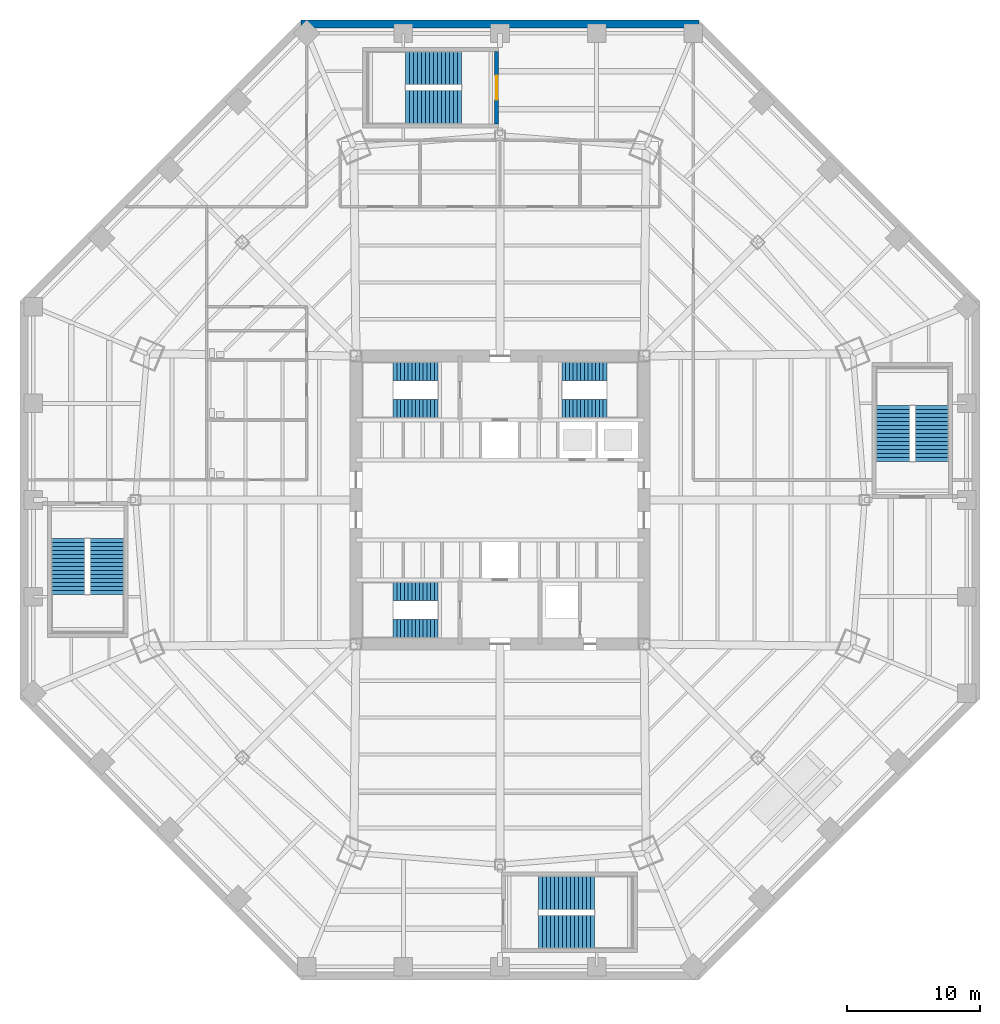
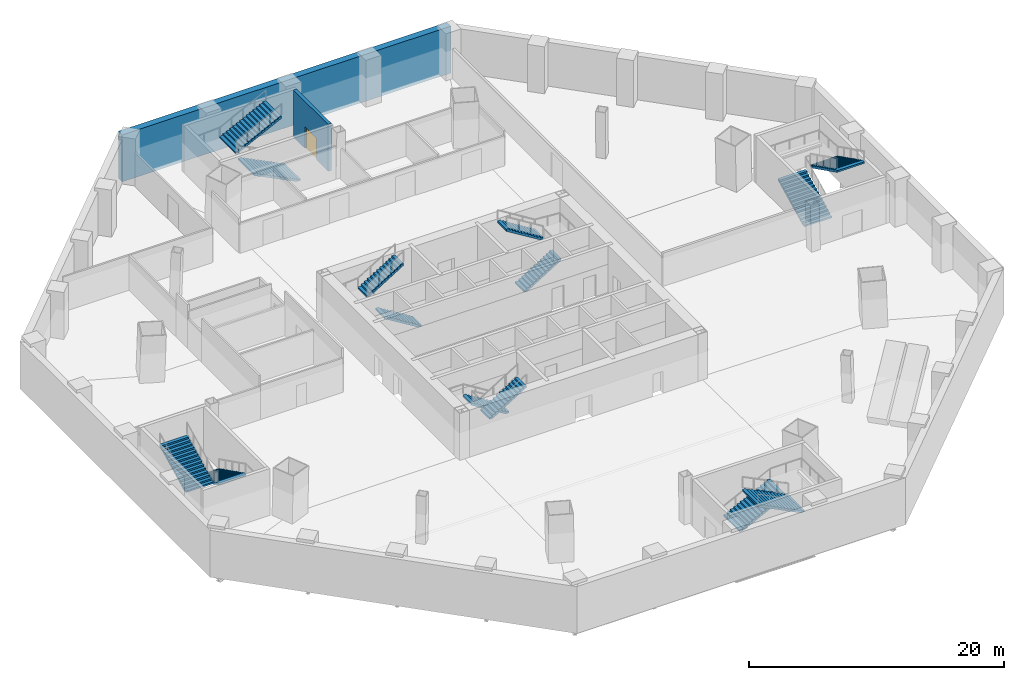
# One storey, part 10 of 15: 14 stair flights, 2 walls, 1 door, 1 opening, 7 elements without a shape of their own.
"""IFC4 building model written with IfcOpenShell, lengths in metres."""

import ifcopenshell
import ifcopenshell.guid

model = None  # the IFC model being written
_history = None  # IfcOwnerHistory: only IFC2X3 demands one
_inside = {}  # id of a spatial element -> (the spatial element, [elements in it])
_under = {}  # id of a project, library or spatial element -> (it, [spatial elements below it])
_declared = {}  # id of a project -> (the project, [libraries it declares])
_typed = {}  # id of a type object -> (the type object, [elements of that type])
_made_of = {}  # id of a material, layer set ... -> (it, [elements and type objects made of it])


def new_model(schema):
    """Start an empty IFC model of exactly this schema.

    Asked for "IFC4X3", IfcOpenShell would pick the latest addendum, in which some entities
    have other attributes; the version numbers below select the first issue.
    IFC2X3 requires an IfcOwnerHistory on every rooted entity: one is made here for all.
    """
    global model, _history
    if schema == "IFC4X3":
        model = ifcopenshell.file(schema_version=(4, 3, 0, 0))
    else:
        model = ifcopenshell.file(schema=schema)
    _inside.clear()
    _under.clear()
    _declared.clear()
    _typed.clear()
    _made_of.clear()
    _history = None
    if model.schema == "IFC2X3":
        org = make("IfcOrganization", Name="unknown")
        user = make(
            "IfcPersonAndOrganization",
            ThePerson=make("IfcPerson", FamilyName="unknown"),
            TheOrganization=org,
        )
        app = make(
            "IfcApplication",
            ApplicationDeveloper=org,
            Version="unknown",
            ApplicationFullName="unknown",
            ApplicationIdentifier="unknown",
        )
        _history = make(
            "IfcOwnerHistory",
            OwningUser=user,
            OwningApplication=app,
            ChangeAction="ADDED",
            CreationDate=0,
        )
    return model


def make(cls, **values):
    """One entity of the class cls with the attributes given. An attribute that is None is left unset."""
    return model.create_entity(
        cls, **{name: value for name, value in values.items() if value is not None}
    )


def rooted(cls, **values):
    """An entity with a GlobalId (a new one), such as an element, a storey or a relation."""
    return make(cls, GlobalId=ifcopenshell.guid.new(), OwnerHistory=_history, **values)


def si_unit(unit_type, name, prefix=None):
    """IfcSIUnit, for example si_unit("LENGTHUNIT", "METRE", prefix="MILLI")."""
    return make("IfcSIUnit", UnitType=unit_type, Prefix=prefix, Name=name)


def assignment(units):
    """IfcUnitAssignment: the units of a project."""
    return None if units is None else make("IfcUnitAssignment", Units=units)


def point(xyz):
    """IfcCartesianPoint."""
    return None if xyz is None else make("IfcCartesianPoint", Coordinates=xyz)


def direction(xyz):
    """IfcDirection."""
    return None if xyz is None else make("IfcDirection", DirectionRatios=xyz)


def frame(location, z_axis=None, x_axis=None):
    """IfcAxis2Placement3D, a coordinate frame: its origin and axes. An axis left out is left unset."""
    return make(
        "IfcAxis2Placement3D",
        Location=point(location),
        Axis=direction(z_axis),
        RefDirection=direction(x_axis),
    )


def frame_2d(location, x_axis=None):
    """IfcAxis2Placement2D, a coordinate frame in the plane: its origin and x axis."""
    return make(
        "IfcAxis2Placement2D", Location=point(location), RefDirection=direction(x_axis)
    )


def origin():
    """The frame at (0, 0, 0) with its axes left unset."""
    return frame((0.0, 0.0, 0.0))


def place(relative_to, where):
    """IfcLocalPlacement: puts the frame where relative to a parent placement (None: the world)."""
    return make(
        "IfcLocalPlacement", PlacementRelTo=relative_to, RelativePlacement=where
    )


def context(
    kind, dimensions, precision=None, world=None, true_north=None, identifier=None
):
    """IfcGeometricRepresentationContext, for example the 3D "Model" context."""
    return make(
        "IfcGeometricRepresentationContext",
        ContextIdentifier=identifier,
        ContextType=kind,
        CoordinateSpaceDimension=dimensions,
        Precision=precision,
        WorldCoordinateSystem=world,
        TrueNorth=true_north,
    )


def subcontext(parent, identifier, kind, view, scale=None):
    """IfcGeometricRepresentationSubContext, for example "Body" below "Model"."""
    return make(
        "IfcGeometricRepresentationSubContext",
        ContextIdentifier=identifier,
        ContextType=kind,
        ParentContext=parent,
        TargetScale=scale,
        TargetView=view,
    )


def project(units=None, contexts=None):
    """IfcProject with its units and contexts."""
    return rooted(
        "IfcProject",
        Name="project",
        RepresentationContexts=contexts,
        UnitsInContext=assignment(units),
    )


def spatial(cls, under=None, at=None, **own):
    """A site, building, storey or space (cls), placed at a placement, below another one or the project."""
    s = rooted(cls, ObjectPlacement=at, **own)
    if under is not None:
        _under.setdefault(under.id(), (under, []))[1].append(s)
    return s


def polyline(points):
    """IfcPolyline through the points."""
    return make("IfcPolyline", Points=[point(p) for p in points])


def profile(cls, at=None, kind="AREA", **sizes):
    """A parametric profile (cls). Its sizes go by their IFC names, for example OverallWidth=200.0."""
    return make(cls, ProfileType=kind, Position=at, **sizes)


def rectangle(**sizes):
    """IfcRectangleProfileDef."""
    return profile("IfcRectangleProfileDef", **sizes)


def outline(outer, holes=None, kind="AREA"):
    """IfcArbitraryClosedProfileDef: a profile drawn as a closed curve; with holes, ...WithVoids."""
    if holes is None:
        return make("IfcArbitraryClosedProfileDef", ProfileType=kind, OuterCurve=outer)
    return make(
        "IfcArbitraryProfileDefWithVoids",
        ProfileType=kind,
        OuterCurve=outer,
        InnerCurves=holes,
    )


def extrude(swept, where, along, depth):
    """IfcExtrudedAreaSolid: the profile swept, set in the frame where, extruded along a direction by depth."""
    return make(
        "IfcExtrudedAreaSolid",
        SweptArea=swept,
        Position=where,
        ExtrudedDirection=direction(along),
        Depth=depth,
    )


def shape(context_of_items, identifier, shape_type, items):
    """IfcShapeRepresentation: the items that make up one representation, for example the "Body"."""
    return make(
        "IfcShapeRepresentation",
        ContextOfItems=context_of_items,
        RepresentationIdentifier=identifier,
        RepresentationType=shape_type,
        Items=items,
    )


def material(Name=None, Category=None):
    """IfcMaterial."""
    return make("IfcMaterial", Name=Name, Category=Category)


def layer(
    of_material, thickness, ventilated=None, Name=None, Category=None, Priority=None
):
    """IfcMaterialLayer: one layer of a wall or slab, of a material (None: an air gap)."""
    return make(
        "IfcMaterialLayer",
        Material=of_material,
        LayerThickness=thickness,
        IsVentilated=ventilated,
        Name=Name,
        Category=Category,
        Priority=Priority,
    )


def layer_set(layers, Name=None):
    """IfcMaterialLayerSet."""
    return make("IfcMaterialLayerSet", MaterialLayers=layers, LayerSetName=Name)


def made_of(thing, what):
    """Note that an element or type object is made of a material, layer set ...; save() writes the relation."""
    if what is not None:
        _made_of.setdefault(what.id(), (what, []))[1].append(thing)
    return thing


def type_object(cls, material=None, **own):
    """A type object (cls), such as IfcWallType, which elements share."""
    return made_of(rooted(cls, **own), material)


def element(
    cls,
    number,
    at=None,
    inside=None,
    cuts=None,
    type_object=None,
    material=None,
    context=None,
    identifier="Body",
    shape_type=None,
    held_by="IfcProductDefinitionShape",
    body=None,
    shapes=None,
    **own,
):
    """One element of the class cls, such as IfcWall. Its Tag is "e" and its number.

    at: its placement. inside: the storey or other place that contains it. cuts: it is an
    opening in that element (IfcRelVoidsElement). A single representation is given by context,
    identifier, shape_type and body (its items); several are given by shapes. held_by: the class
    of the entity that holds the representations. save() writes the other relations.
    """
    e = rooted(cls, Tag="e%d" % number, ObjectPlacement=at, **own)
    if body is not None:
        shapes = [shape(context, identifier, shape_type, body)]
    if shapes is not None:
        e.Representation = make(held_by, Representations=shapes)
    if inside is not None:
        _inside.setdefault(inside.id(), (inside, []))[1].append(e)
    if cuts is not None:
        rooted(
            "IfcRelVoidsElement", RelatingBuildingElement=cuts, RelatedOpeningElement=e
        )
    if type_object is not None:
        _typed.setdefault(type_object.id(), (type_object, []))[1].append(e)
    return made_of(e, material)


def fill(opening, filler):
    """IfcRelFillsElement: the door or window that sits in an opening."""
    return rooted(
        "IfcRelFillsElement",
        RelatingOpeningElement=opening,
        RelatedBuildingElement=filler,
    )


def aggregate(whole, parts):
    """IfcRelAggregates: a whole, such as a stair, and the parts it consists of."""
    return rooted("IfcRelAggregates", RelatingObject=whole, RelatedObjects=parts)


def save(model, path):
    """Write the relations noted so far, then the file.

    IfcRelAggregates (storeys below a building ...), IfcRelContainedInSpatialStructure (elements
    in a storey), IfcRelDefinesByType, IfcRelAssociatesMaterial and IfcRelDeclares: one each for
    every whole, place, type object, material and project.
    """
    for whole, parts in _under.values():
        aggregate(whole, parts)
    for where, things in _inside.values():
        rooted(
            "IfcRelContainedInSpatialStructure",
            RelatedElements=things,
            RelatingStructure=where,
        )
    for kind, things in _typed.values():
        rooted("IfcRelDefinesByType", RelatedObjects=things, RelatingType=kind)
    for what, things in _made_of.values():
        rooted("IfcRelAssociatesMaterial", RelatedObjects=things, RelatingMaterial=what)
    for by, libraries in _declared.values():
        rooted("IfcRelDeclares", RelatingContext=by, RelatedDefinitions=libraries)
    model.write(path)


model = new_model("IFC4")

# Units and contexts
model_context = context("Model", 3, precision=1e-05, world=origin(), true_north=direction((0.0, 1.0)))
body_context = subcontext(model_context, "Body", "Model", "MODEL_VIEW")
ifc_project = project(units=[si_unit("LENGTHUNIT", "METRE"), si_unit("AREAUNIT", "SQUARE_METRE"), si_unit("VOLUMEUNIT", "CUBIC_METRE"), si_unit("PLANEANGLEUNIT", "RADIAN"), si_unit("MASSUNIT", "GRAM", prefix="KILO")], contexts=[model_context])

# Site, building, storey
site_placement = place(None, origin())
site = spatial("IfcSite", under=ifc_project, at=site_placement, CompositionType="ELEMENT")
building_placement = place(site_placement, origin())
building = spatial("IfcBuilding", under=site, at=building_placement, Name="Mashrafa Tower", CompositionType="ELEMENT")
storey_placement = place(building_placement, frame((0.0, 0.0, -4.5)))
storey = spatial("IfcBuildingStorey", under=building, at=storey_placement, Name="B1", CompositionType="ELEMENT", Elevation=-4.5)

# Wall
ifc_material_1 = material(Name="Concrete C40/50", Category="concrete")
ifc_layer_1 = layer(ifc_material_1, 0.60009765625)
ifc_layer_set_1 = layer_set([ifc_layer_1], Name="Basement retaining wall 600")
wall_type_1 = type_object("IfcWallType", Name="Basement retaining wall 600", PredefinedType="SOLIDWALL", material=ifc_layer_set_1)
wall_1_placement = place(storey_placement, frame((14.91162109375, 35.699951171875, -0.300048828125), z_axis=(0.0, 0.0, 1.0), x_axis=(-1.0, 0.0, 0.0)))
element("IfcWall", 1, at=wall_1_placement, inside=storey, type_object=wall_type_1, Name="Basement retaining wall B1 north", PredefinedType="SOLIDWALL", context=body_context, shape_type="SweptSolid", body=[
    extrude(rectangle(XDim=29.8232421875, YDim=0.60009765625, at=frame_2d((14.91162109375, 0.0))), origin(), (0.0, 0.0, 1.0), 4.5),
])

# Wall, opening, door
ifc_material_2 = material(Name="Concrete C35/45", Category="concrete")
ifc_layer_2 = layer(ifc_material_2, 0.300048828125)
ifc_layer_set_2 = layer_set([ifc_layer_2], Name="Stair core wall 300 3 hr")
wall_type_2 = type_object("IfcWallType", Name="Stair core wall 300 3 hr", PredefinedType="SOLIDWALL", material=ifc_layer_set_2)
wall_2_placement = place(storey_placement, frame((-0.25, 28.199951171875, 0.0), z_axis=(0.0, 0.0, 1.0), x_axis=(0.0, 1.0, 0.0)))
wall_2 = element("IfcWall", 2, at=wall_2_placement, inside=storey, type_object=wall_type_2, Name="Stair P2 core wall E B1", PredefinedType="SOLIDWALL", context=body_context, shape_type="SweptSolid", body=[
    extrude(rectangle(XDim=5.449951171875, YDim=0.300048828125, at=frame_2d((2.72509765625, 0.0))), origin(), (0.0, 0.0, 1.0), 4.5),
])
opening_placement = place(wall_2_placement, frame((1.824951171875, 0.0, 0.0)))
opening = element("IfcOpeningElement", 3, at=opening_placement, cuts=wall_2, Name="Opening B1.024", PredefinedType="OPENING", context=body_context, shape_type="SweptSolid", body=[
    extrude(rectangle(XDim=1.800048828125, YDim=2.10009765625, at=frame_2d((0.89990234375, 1.050048828125))), frame((0.0, 0.159912109375, 0.0), z_axis=(0.0, -1.0, 0.0), x_axis=(1.0, 0.0, 0.0)), (0.0, 0.0, 1.0), 0.320068359375),
])
ifc_material_3 = material(Name="Steel door", Category="steel")
door_type = type_object("IfcDoorType", Name="Stair door pair 1800 x 2100 90 min", OperationType="DOUBLE_DOOR_SINGLE_SWING", PredefinedType="DOOR", material=ifc_material_3)
door_placement = place(opening_placement, origin())
door = element("IfcDoor", 4, at=door_placement, inside=storey, type_object=door_type, Name="Stair P2 door B1", OperationType="DOUBLE_DOOR_SINGLE_SWING", OverallHeight=2.10009765625, OverallWidth=1.800048828125, PredefinedType="DOOR", context=body_context, shape_type="SweptSolid", body=[
    extrude(rectangle(XDim=1.800048828125, YDim=2.10009765625, at=frame_2d((0.89990234375, 1.050048828125))), frame((0.0, 0.02490234375, 0.0), z_axis=(0.0, -1.0, 0.0), x_axis=(1.0, 0.0, 0.0)), (0.0, 0.0, 1.0), 0.050048828125),
])
fill(opening, door)

# Stair, stair flights
ifc_material_4 = material(Name="Exit stair 1400")
stair_type_1 = type_object("IfcStairType", Name="Exit stair 1400", PredefinedType="HALF_TURN_STAIR", material=ifc_material_4)
stair_1_placement = place(storey_placement, origin())
stair_1 = element("IfcStair", 5, at=stair_1_placement, inside=storey, type_object=stair_type_1, Name="Stair S1 B1", PredefinedType="HALF_TURN_STAIR")
ifc_material_5 = material(Name="Concrete C32/40", Category="concrete")
stair_flight_type_1 = type_object("IfcStairFlightType", Name="Stair flight 1400", PredefinedType="STRAIGHT", material=ifc_material_5)
stair_flight_1_placement = place(storey_placement, frame((-4.64990234375, 6.85009765625, 0.0), z_axis=(0.0, 0.0, 1.0), x_axis=(-1.0, 0.0, 0.0)))
stair_flight_1 = element("IfcStairFlight", 6, at=stair_flight_1_placement, type_object=stair_flight_type_1, Name="S1 flight 1", NumberOfRisers=13, NumberOfTreads=12, PredefinedType="STRAIGHT", RiserHeight=0.173076923, TreadLength=0.28, context=body_context, shape_type="SweptSolid", body=[
    extrude(outline(polyline([(0.0, 0.0), (0.0, 0.173095703125), (0.280029296875, 0.173095703125), (0.280029296875, 0.34619140625), (0.56005859375, 0.34619140625), (0.56005859375, 0.519287109375), (0.840087890625, 0.519287109375), (0.840087890625, 0.6923828125), (1.1201171875, 0.6923828125), (1.1201171875, 0.865478515625), (1.39990234375, 0.865478515625), (1.39990234375, 1.03857421875), (1.679931640625, 1.03857421875), (1.679931640625, 1.21142578125), (1.9599609375, 1.21142578125), (1.9599609375, 1.384521484375), (2.239990234375, 1.384521484375), (2.239990234375, 1.5576171875), (2.52001953125, 1.5576171875), (2.52001953125, 1.730712890625), (2.800048828125, 1.730712890625), (2.800048828125, 1.90380859375), (3.080078125, 1.90380859375), (3.080078125, 2.076904296875), (3.360107421875, 2.076904296875), (3.360107421875, 2.25), (3.360107421875, 1.900634765625), (0.28515625, 0.0), (0.0, 0.0)])), frame((0.0, 0.699951171875, 0.0), z_axis=(0.0, -1.0, 0.0), x_axis=(1.0, 0.0, 0.0)), (0.0, 0.0, 1.0), 1.39990234375),
])
stair_flight_2_placement = place(storey_placement, frame((-8.010009765625, 9.64990234375, 2.25), z_axis=(0.0, 0.0, 1.0), x_axis=(1.0, 0.0, 0.0)))
stair_flight_2 = element("IfcStairFlight", 7, at=stair_flight_2_placement, type_object=stair_flight_type_1, Name="S1 flight 2", NumberOfRisers=13, NumberOfTreads=12, PredefinedType="STRAIGHT", RiserHeight=0.173076923, TreadLength=0.28, context=body_context, shape_type="SweptSolid", body=[
    extrude(outline(polyline([(0.0, 0.0), (0.0, 0.173095703125), (0.280029296875, 0.173095703125), (0.280029296875, 0.34619140625), (0.56005859375, 0.34619140625), (0.56005859375, 0.519287109375), (0.840087890625, 0.519287109375), (0.840087890625, 0.6923828125), (1.1201171875, 0.6923828125), (1.1201171875, 0.865478515625), (1.39990234375, 0.865478515625), (1.39990234375, 1.03857421875), (1.679931640625, 1.03857421875), (1.679931640625, 1.21142578125), (1.9599609375, 1.21142578125), (1.9599609375, 1.384521484375), (2.239990234375, 1.384521484375), (2.239990234375, 1.5576171875), (2.52001953125, 1.5576171875), (2.52001953125, 1.730712890625), (2.800048828125, 1.730712890625), (2.800048828125, 1.90380859375), (3.080078125, 1.90380859375), (3.080078125, 2.076904296875), (3.360107421875, 2.076904296875), (3.360107421875, 2.25), (3.360107421875, 1.900634765625), (0.28515625, 0.0), (0.0, 0.0)])), frame((0.0, 0.699951171875, 0.0), z_axis=(0.0, -1.0, 0.0), x_axis=(1.0, 0.0, 0.0)), (0.0, 0.0, 1.0), 1.39990234375),
])
aggregate(stair_1, [stair_flight_1, stair_flight_2])

stair_2_placement = place(storey_placement, origin())
stair_2 = element("IfcStair", 8, at=stair_2_placement, inside=storey, type_object=stair_type_1, Name="Stair S2 B1", PredefinedType="HALF_TURN_STAIR")
stair_flight_3_placement = place(storey_placement, frame((4.64990234375, 6.85009765625, 0.0), z_axis=(0.0, 0.0, 1.0), x_axis=(1.0, 0.0, 0.0)))
stair_flight_3 = element("IfcStairFlight", 9, at=stair_flight_3_placement, type_object=stair_flight_type_1, Name="S2 flight 1", NumberOfRisers=13, NumberOfTreads=12, PredefinedType="STRAIGHT", RiserHeight=0.173076923, TreadLength=0.28, context=body_context, shape_type="SweptSolid", body=[
    extrude(outline(polyline([(0.0, 0.0), (0.0, 0.173095703125), (0.280029296875, 0.173095703125), (0.280029296875, 0.34619140625), (0.56005859375, 0.34619140625), (0.56005859375, 0.519287109375), (0.840087890625, 0.519287109375), (0.840087890625, 0.6923828125), (1.1201171875, 0.6923828125), (1.1201171875, 0.865478515625), (1.39990234375, 0.865478515625), (1.39990234375, 1.03857421875), (1.679931640625, 1.03857421875), (1.679931640625, 1.21142578125), (1.9599609375, 1.21142578125), (1.9599609375, 1.384521484375), (2.239990234375, 1.384521484375), (2.239990234375, 1.5576171875), (2.52001953125, 1.5576171875), (2.52001953125, 1.730712890625), (2.800048828125, 1.730712890625), (2.800048828125, 1.90380859375), (3.080078125, 1.90380859375), (3.080078125, 2.076904296875), (3.360107421875, 2.076904296875), (3.360107421875, 2.25), (3.360107421875, 1.900634765625), (0.28515625, 0.0), (0.0, 0.0)])), frame((0.0, 0.699951171875, 0.0), z_axis=(0.0, -1.0, 0.0), x_axis=(1.0, 0.0, 0.0)), (0.0, 0.0, 1.0), 1.39990234375),
])
stair_flight_4_placement = place(storey_placement, frame((8.010009765625, 9.64990234375, 2.25), z_axis=(0.0, 0.0, 1.0), x_axis=(-1.0, 0.0, 0.0)))
stair_flight_4 = element("IfcStairFlight", 10, at=stair_flight_4_placement, type_object=stair_flight_type_1, Name="S2 flight 2", NumberOfRisers=13, NumberOfTreads=12, PredefinedType="STRAIGHT", RiserHeight=0.173076923, TreadLength=0.28, context=body_context, shape_type="SweptSolid", body=[
    extrude(outline(polyline([(0.0, 0.0), (0.0, 0.173095703125), (0.280029296875, 0.173095703125), (0.280029296875, 0.34619140625), (0.56005859375, 0.34619140625), (0.56005859375, 0.519287109375), (0.840087890625, 0.519287109375), (0.840087890625, 0.6923828125), (1.1201171875, 0.6923828125), (1.1201171875, 0.865478515625), (1.39990234375, 0.865478515625), (1.39990234375, 1.03857421875), (1.679931640625, 1.03857421875), (1.679931640625, 1.21142578125), (1.9599609375, 1.21142578125), (1.9599609375, 1.384521484375), (2.239990234375, 1.384521484375), (2.239990234375, 1.5576171875), (2.52001953125, 1.5576171875), (2.52001953125, 1.730712890625), (2.800048828125, 1.730712890625), (2.800048828125, 1.90380859375), (3.080078125, 1.90380859375), (3.080078125, 2.076904296875), (3.360107421875, 2.076904296875), (3.360107421875, 2.25), (3.360107421875, 1.900634765625), (0.28515625, 0.0), (0.0, 0.0)])), frame((0.0, 0.699951171875, 0.0), z_axis=(0.0, -1.0, 0.0), x_axis=(1.0, 0.0, 0.0)), (0.0, 0.0, 1.0), 1.39990234375),
])
aggregate(stair_2, [stair_flight_3, stair_flight_4])

stair_3_placement = place(storey_placement, origin())
stair_3 = element("IfcStair", 11, at=stair_3_placement, inside=storey, type_object=stair_type_1, Name="Stair S3 B1", PredefinedType="HALF_TURN_STAIR")
stair_flight_5_placement = place(storey_placement, frame((-4.64990234375, -6.85009765625, 0.0), z_axis=(0.0, 0.0, 1.0), x_axis=(-1.0, 0.0, 0.0)))
stair_flight_5 = element("IfcStairFlight", 12, at=stair_flight_5_placement, type_object=stair_flight_type_1, Name="S3 flight 1", NumberOfRisers=13, NumberOfTreads=12, PredefinedType="STRAIGHT", RiserHeight=0.173076923, TreadLength=0.28, context=body_context, shape_type="SweptSolid", body=[
    extrude(outline(polyline([(0.0, 0.0), (0.0, 0.173095703125), (0.280029296875, 0.173095703125), (0.280029296875, 0.34619140625), (0.56005859375, 0.34619140625), (0.56005859375, 0.519287109375), (0.840087890625, 0.519287109375), (0.840087890625, 0.6923828125), (1.1201171875, 0.6923828125), (1.1201171875, 0.865478515625), (1.39990234375, 0.865478515625), (1.39990234375, 1.03857421875), (1.679931640625, 1.03857421875), (1.679931640625, 1.21142578125), (1.9599609375, 1.21142578125), (1.9599609375, 1.384521484375), (2.239990234375, 1.384521484375), (2.239990234375, 1.5576171875), (2.52001953125, 1.5576171875), (2.52001953125, 1.730712890625), (2.800048828125, 1.730712890625), (2.800048828125, 1.90380859375), (3.080078125, 1.90380859375), (3.080078125, 2.076904296875), (3.360107421875, 2.076904296875), (3.360107421875, 2.25), (3.360107421875, 1.900634765625), (0.28515625, 0.0), (0.0, 0.0)])), frame((0.0, 0.699951171875, 0.0), z_axis=(0.0, -1.0, 0.0), x_axis=(1.0, 0.0, 0.0)), (0.0, 0.0, 1.0), 1.39990234375),
])
stair_flight_6_placement = place(storey_placement, frame((-8.010009765625, -9.64990234375, 2.25), z_axis=(0.0, 0.0, 1.0), x_axis=(1.0, 0.0, 0.0)))
stair_flight_6 = element("IfcStairFlight", 13, at=stair_flight_6_placement, type_object=stair_flight_type_1, Name="S3 flight 2", NumberOfRisers=13, NumberOfTreads=12, PredefinedType="STRAIGHT", RiserHeight=0.173076923, TreadLength=0.28, context=body_context, shape_type="SweptSolid", body=[
    extrude(outline(polyline([(0.0, 0.0), (0.0, 0.173095703125), (0.280029296875, 0.173095703125), (0.280029296875, 0.34619140625), (0.56005859375, 0.34619140625), (0.56005859375, 0.519287109375), (0.840087890625, 0.519287109375), (0.840087890625, 0.6923828125), (1.1201171875, 0.6923828125), (1.1201171875, 0.865478515625), (1.39990234375, 0.865478515625), (1.39990234375, 1.03857421875), (1.679931640625, 1.03857421875), (1.679931640625, 1.21142578125), (1.9599609375, 1.21142578125), (1.9599609375, 1.384521484375), (2.239990234375, 1.384521484375), (2.239990234375, 1.5576171875), (2.52001953125, 1.5576171875), (2.52001953125, 1.730712890625), (2.800048828125, 1.730712890625), (2.800048828125, 1.90380859375), (3.080078125, 1.90380859375), (3.080078125, 2.076904296875), (3.360107421875, 2.076904296875), (3.360107421875, 2.25), (3.360107421875, 1.900634765625), (0.28515625, 0.0), (0.0, 0.0)])), frame((0.0, 0.699951171875, 0.0), z_axis=(0.0, -1.0, 0.0), x_axis=(1.0, 0.0, 0.0)), (0.0, 0.0, 1.0), 1.39990234375),
])
aggregate(stair_3, [stair_flight_5, stair_flight_6])

ifc_material_6 = material(Name="Exit stair 2500")
stair_type_2 = type_object("IfcStairType", Name="Exit stair 2500", PredefinedType="HALF_TURN_STAIR", material=ifc_material_6)
stair_4_placement = place(storey_placement, origin())
stair_4 = element("IfcStair", 14, at=stair_4_placement, inside=storey, type_object=stair_type_2, Name="Stair P1 B1", PredefinedType="HALF_TURN_STAIR")
ifc_material_7 = material(Name="Concrete C32/40", Category="concrete")
stair_flight_type_2 = type_object("IfcStairFlightType", Name="Stair flight 2500", PredefinedType="STRAIGHT", material=ifc_material_7)
stair_flight_7_placement = place(storey_placement, frame((29.449951171875, 2.89990234375, 0.0), z_axis=(0.0, 0.0, 1.0), x_axis=(0.0, 1.0, 0.0)))
stair_flight_7 = element("IfcStairFlight", 15, at=stair_flight_7_placement, type_object=stair_flight_type_2, Name="P1 flight 1", NumberOfRisers=15, NumberOfTreads=14, PredefinedType="STRAIGHT", RiserHeight=0.15, TreadLength=0.3, context=body_context, shape_type="SweptSolid", body=[
    extrude(outline(polyline([(0.0, 0.0), (0.0, 0.14990234375), (0.300048828125, 0.14990234375), (0.300048828125, 0.300048828125), (0.60009765625, 0.300048828125), (0.60009765625, 0.449951171875), (0.89990234375, 0.449951171875), (0.89990234375, 0.60009765625), (1.199951171875, 0.60009765625), (1.199951171875, 0.75), (1.5, 0.75), (1.5, 0.89990234375), (1.800048828125, 0.89990234375), (1.800048828125, 1.050048828125), (2.10009765625, 1.050048828125), (2.10009765625, 1.199951171875), (2.39990234375, 1.199951171875), (2.39990234375, 1.35009765625), (2.699951171875, 1.35009765625), (2.699951171875, 1.5), (3.0, 1.5), (3.0, 1.64990234375), (3.300048828125, 1.64990234375), (3.300048828125, 1.800048828125), (3.60009765625, 1.800048828125), (3.60009765625, 1.949951171875), (3.89990234375, 1.949951171875), (3.89990234375, 2.10009765625), (4.199951171875, 2.10009765625), (4.199951171875, 2.25), (4.199951171875, 1.932373046875), (0.335205078125, 0.0), (0.0, 0.0)])), frame((0.0, 1.25, 0.0), z_axis=(0.0, -1.0, 0.0), x_axis=(1.0, 0.0, 0.0)), (0.0, 0.0, 1.0), 2.5),
])
stair_flight_8_placement = place(storey_placement, frame((32.39990234375, 7.10009765625, 2.25), z_axis=(0.0, 0.0, 1.0), x_axis=(0.0, -1.0, 0.0)))
stair_flight_8 = element("IfcStairFlight", 16, at=stair_flight_8_placement, type_object=stair_flight_type_2, Name="P1 flight 2", NumberOfRisers=15, NumberOfTreads=14, PredefinedType="STRAIGHT", RiserHeight=0.15, TreadLength=0.3, context=body_context, shape_type="SweptSolid", body=[
    extrude(outline(polyline([(0.0, 0.0), (0.0, 0.14990234375), (0.300048828125, 0.14990234375), (0.300048828125, 0.300048828125), (0.60009765625, 0.300048828125), (0.60009765625, 0.449951171875), (0.89990234375, 0.449951171875), (0.89990234375, 0.60009765625), (1.199951171875, 0.60009765625), (1.199951171875, 0.75), (1.5, 0.75), (1.5, 0.89990234375), (1.800048828125, 0.89990234375), (1.800048828125, 1.050048828125), (2.10009765625, 1.050048828125), (2.10009765625, 1.199951171875), (2.39990234375, 1.199951171875), (2.39990234375, 1.35009765625), (2.699951171875, 1.35009765625), (2.699951171875, 1.5), (3.0, 1.5), (3.0, 1.64990234375), (3.300048828125, 1.64990234375), (3.300048828125, 1.800048828125), (3.60009765625, 1.800048828125), (3.60009765625, 1.949951171875), (3.89990234375, 1.949951171875), (3.89990234375, 2.10009765625), (4.199951171875, 2.10009765625), (4.199951171875, 2.25), (4.199951171875, 1.932373046875), (0.335205078125, 0.0), (0.0, 0.0)])), frame((0.0, 1.25, 0.0), z_axis=(0.0, -1.0, 0.0), x_axis=(1.0, 0.0, 0.0)), (0.0, 0.0, 1.0), 2.5),
])
aggregate(stair_4, [stair_flight_7, stair_flight_8])

stair_5_placement = place(storey_placement, origin())
stair_5 = element("IfcStair", 17, at=stair_5_placement, inside=storey, type_object=stair_type_2, Name="Stair P2 B1", PredefinedType="HALF_TURN_STAIR")
stair_flight_9_placement = place(storey_placement, frame((-2.89990234375, 29.449951171875, 0.0), z_axis=(0.0, 0.0, 1.0), x_axis=(-1.0, 0.0, 0.0)))
stair_flight_9 = element("IfcStairFlight", 18, at=stair_flight_9_placement, type_object=stair_flight_type_2, Name="P2 flight 1", NumberOfRisers=15, NumberOfTreads=14, PredefinedType="STRAIGHT", RiserHeight=0.15, TreadLength=0.3, context=body_context, shape_type="SweptSolid", body=[
    extrude(outline(polyline([(0.0, 0.0), (0.0, 0.14990234375), (0.300048828125, 0.14990234375), (0.300048828125, 0.300048828125), (0.60009765625, 0.300048828125), (0.60009765625, 0.449951171875), (0.89990234375, 0.449951171875), (0.89990234375, 0.60009765625), (1.199951171875, 0.60009765625), (1.199951171875, 0.75), (1.5, 0.75), (1.5, 0.89990234375), (1.800048828125, 0.89990234375), (1.800048828125, 1.050048828125), (2.10009765625, 1.050048828125), (2.10009765625, 1.199951171875), (2.39990234375, 1.199951171875), (2.39990234375, 1.35009765625), (2.699951171875, 1.35009765625), (2.699951171875, 1.5), (3.0, 1.5), (3.0, 1.64990234375), (3.300048828125, 1.64990234375), (3.300048828125, 1.800048828125), (3.60009765625, 1.800048828125), (3.60009765625, 1.949951171875), (3.89990234375, 1.949951171875), (3.89990234375, 2.10009765625), (4.199951171875, 2.10009765625), (4.199951171875, 2.25), (4.199951171875, 1.932373046875), (0.335205078125, 0.0), (0.0, 0.0)])), frame((0.0, 1.25, 0.0), z_axis=(0.0, -1.0, 0.0), x_axis=(1.0, 0.0, 0.0)), (0.0, 0.0, 1.0), 2.5),
])
stair_flight_10_placement = place(storey_placement, frame((-7.10009765625, 32.39990234375, 2.25), z_axis=(0.0, 0.0, 1.0), x_axis=(1.0, 0.0, 0.0)))
stair_flight_10 = element("IfcStairFlight", 19, at=stair_flight_10_placement, type_object=stair_flight_type_2, Name="P2 flight 2", NumberOfRisers=15, NumberOfTreads=14, PredefinedType="STRAIGHT", RiserHeight=0.15, TreadLength=0.3, context=body_context, shape_type="SweptSolid", body=[
    extrude(outline(polyline([(0.0, 0.0), (0.0, 0.14990234375), (0.300048828125, 0.14990234375), (0.300048828125, 0.300048828125), (0.60009765625, 0.300048828125), (0.60009765625, 0.449951171875), (0.89990234375, 0.449951171875), (0.89990234375, 0.60009765625), (1.199951171875, 0.60009765625), (1.199951171875, 0.75), (1.5, 0.75), (1.5, 0.89990234375), (1.800048828125, 0.89990234375), (1.800048828125, 1.050048828125), (2.10009765625, 1.050048828125), (2.10009765625, 1.199951171875), (2.39990234375, 1.199951171875), (2.39990234375, 1.35009765625), (2.699951171875, 1.35009765625), (2.699951171875, 1.5), (3.0, 1.5), (3.0, 1.64990234375), (3.300048828125, 1.64990234375), (3.300048828125, 1.800048828125), (3.60009765625, 1.800048828125), (3.60009765625, 1.949951171875), (3.89990234375, 1.949951171875), (3.89990234375, 2.10009765625), (4.199951171875, 2.10009765625), (4.199951171875, 2.25), (4.199951171875, 1.932373046875), (0.335205078125, 0.0), (0.0, 0.0)])), frame((0.0, 1.25, 0.0), z_axis=(0.0, -1.0, 0.0), x_axis=(1.0, 0.0, 0.0)), (0.0, 0.0, 1.0), 2.5),
])
aggregate(stair_5, [stair_flight_9, stair_flight_10])

stair_6_placement = place(storey_placement, origin())
stair_6 = element("IfcStair", 20, at=stair_6_placement, inside=storey, type_object=stair_type_2, Name="Stair P3 B1", PredefinedType="HALF_TURN_STAIR")
stair_flight_11_placement = place(storey_placement, frame((-29.449951171875, -2.89990234375, 0.0), z_axis=(0.0, 0.0, 1.0), x_axis=(0.0, -1.0, 0.0)))
stair_flight_11 = element("IfcStairFlight", 21, at=stair_flight_11_placement, type_object=stair_flight_type_2, Name="P3 flight 1", NumberOfRisers=15, NumberOfTreads=14, PredefinedType="STRAIGHT", RiserHeight=0.15, TreadLength=0.3, context=body_context, shape_type="SweptSolid", body=[
    extrude(outline(polyline([(0.0, 0.0), (0.0, 0.14990234375), (0.300048828125, 0.14990234375), (0.300048828125, 0.300048828125), (0.60009765625, 0.300048828125), (0.60009765625, 0.449951171875), (0.89990234375, 0.449951171875), (0.89990234375, 0.60009765625), (1.199951171875, 0.60009765625), (1.199951171875, 0.75), (1.5, 0.75), (1.5, 0.89990234375), (1.800048828125, 0.89990234375), (1.800048828125, 1.050048828125), (2.10009765625, 1.050048828125), (2.10009765625, 1.199951171875), (2.39990234375, 1.199951171875), (2.39990234375, 1.35009765625), (2.699951171875, 1.35009765625), (2.699951171875, 1.5), (3.0, 1.5), (3.0, 1.64990234375), (3.300048828125, 1.64990234375), (3.300048828125, 1.800048828125), (3.60009765625, 1.800048828125), (3.60009765625, 1.949951171875), (3.89990234375, 1.949951171875), (3.89990234375, 2.10009765625), (4.199951171875, 2.10009765625), (4.199951171875, 2.25), (4.199951171875, 1.932373046875), (0.335205078125, 0.0), (0.0, 0.0)])), frame((0.0, 1.25, 0.0), z_axis=(0.0, -1.0, 0.0), x_axis=(1.0, 0.0, 0.0)), (0.0, 0.0, 1.0), 2.5),
])
stair_flight_12_placement = place(storey_placement, frame((-32.39990234375, -7.10009765625, 2.25), z_axis=(0.0, 0.0, 1.0), x_axis=(0.0, 1.0, 0.0)))
stair_flight_12 = element("IfcStairFlight", 22, at=stair_flight_12_placement, type_object=stair_flight_type_2, Name="P3 flight 2", NumberOfRisers=15, NumberOfTreads=14, PredefinedType="STRAIGHT", RiserHeight=0.15, TreadLength=0.3, context=body_context, shape_type="SweptSolid", body=[
    extrude(outline(polyline([(0.0, 0.0), (0.0, 0.14990234375), (0.300048828125, 0.14990234375), (0.300048828125, 0.300048828125), (0.60009765625, 0.300048828125), (0.60009765625, 0.449951171875), (0.89990234375, 0.449951171875), (0.89990234375, 0.60009765625), (1.199951171875, 0.60009765625), (1.199951171875, 0.75), (1.5, 0.75), (1.5, 0.89990234375), (1.800048828125, 0.89990234375), (1.800048828125, 1.050048828125), (2.10009765625, 1.050048828125), (2.10009765625, 1.199951171875), (2.39990234375, 1.199951171875), (2.39990234375, 1.35009765625), (2.699951171875, 1.35009765625), (2.699951171875, 1.5), (3.0, 1.5), (3.0, 1.64990234375), (3.300048828125, 1.64990234375), (3.300048828125, 1.800048828125), (3.60009765625, 1.800048828125), (3.60009765625, 1.949951171875), (3.89990234375, 1.949951171875), (3.89990234375, 2.10009765625), (4.199951171875, 2.10009765625), (4.199951171875, 2.25), (4.199951171875, 1.932373046875), (0.335205078125, 0.0), (0.0, 0.0)])), frame((0.0, 1.25, 0.0), z_axis=(0.0, -1.0, 0.0), x_axis=(1.0, 0.0, 0.0)), (0.0, 0.0, 1.0), 2.5),
])
aggregate(stair_6, [stair_flight_11, stair_flight_12])

stair_7_placement = place(storey_placement, origin())
stair_7 = element("IfcStair", 23, at=stair_7_placement, inside=storey, type_object=stair_type_2, Name="Stair P4 B1", PredefinedType="HALF_TURN_STAIR")
stair_flight_13_placement = place(storey_placement, frame((2.89990234375, -29.449951171875, 0.0), z_axis=(0.0, 0.0, 1.0), x_axis=(1.0, 0.0, 0.0)))
stair_flight_13 = element("IfcStairFlight", 24, at=stair_flight_13_placement, type_object=stair_flight_type_2, Name="P4 flight 1", NumberOfRisers=15, NumberOfTreads=14, PredefinedType="STRAIGHT", RiserHeight=0.15, TreadLength=0.3, context=body_context, shape_type="SweptSolid", body=[
    extrude(outline(polyline([(0.0, 0.0), (0.0, 0.14990234375), (0.300048828125, 0.14990234375), (0.300048828125, 0.300048828125), (0.60009765625, 0.300048828125), (0.60009765625, 0.449951171875), (0.89990234375, 0.449951171875), (0.89990234375, 0.60009765625), (1.199951171875, 0.60009765625), (1.199951171875, 0.75), (1.5, 0.75), (1.5, 0.89990234375), (1.800048828125, 0.89990234375), (1.800048828125, 1.050048828125), (2.10009765625, 1.050048828125), (2.10009765625, 1.199951171875), (2.39990234375, 1.199951171875), (2.39990234375, 1.35009765625), (2.699951171875, 1.35009765625), (2.699951171875, 1.5), (3.0, 1.5), (3.0, 1.64990234375), (3.300048828125, 1.64990234375), (3.300048828125, 1.800048828125), (3.60009765625, 1.800048828125), (3.60009765625, 1.949951171875), (3.89990234375, 1.949951171875), (3.89990234375, 2.10009765625), (4.199951171875, 2.10009765625), (4.199951171875, 2.25), (4.199951171875, 1.932373046875), (0.335205078125, 0.0), (0.0, 0.0)])), frame((0.0, 1.25, 0.0), z_axis=(0.0, -1.0, 0.0), x_axis=(1.0, 0.0, 0.0)), (0.0, 0.0, 1.0), 2.5),
])
stair_flight_14_placement = place(storey_placement, frame((7.10009765625, -32.39990234375, 2.25), z_axis=(0.0, 0.0, 1.0), x_axis=(-1.0, 0.0, 0.0)))
stair_flight_14 = element("IfcStairFlight", 25, at=stair_flight_14_placement, type_object=stair_flight_type_2, Name="P4 flight 2", NumberOfRisers=15, NumberOfTreads=14, PredefinedType="STRAIGHT", RiserHeight=0.15, TreadLength=0.3, context=body_context, shape_type="SweptSolid", body=[
    extrude(outline(polyline([(0.0, 0.0), (0.0, 0.14990234375), (0.300048828125, 0.14990234375), (0.300048828125, 0.300048828125), (0.60009765625, 0.300048828125), (0.60009765625, 0.449951171875), (0.89990234375, 0.449951171875), (0.89990234375, 0.60009765625), (1.199951171875, 0.60009765625), (1.199951171875, 0.75), (1.5, 0.75), (1.5, 0.89990234375), (1.800048828125, 0.89990234375), (1.800048828125, 1.050048828125), (2.10009765625, 1.050048828125), (2.10009765625, 1.199951171875), (2.39990234375, 1.199951171875), (2.39990234375, 1.35009765625), (2.699951171875, 1.35009765625), (2.699951171875, 1.5), (3.0, 1.5), (3.0, 1.64990234375), (3.300048828125, 1.64990234375), (3.300048828125, 1.800048828125), (3.60009765625, 1.800048828125), (3.60009765625, 1.949951171875), (3.89990234375, 1.949951171875), (3.89990234375, 2.10009765625), (4.199951171875, 2.10009765625), (4.199951171875, 2.25), (4.199951171875, 1.932373046875), (0.335205078125, 0.0), (0.0, 0.0)])), frame((0.0, 1.25, 0.0), z_axis=(0.0, -1.0, 0.0), x_axis=(1.0, 0.0, 0.0)), (0.0, 0.0, 1.0), 2.5),
])
aggregate(stair_7, [stair_flight_13, stair_flight_14])

save(model, "model.ifc")
